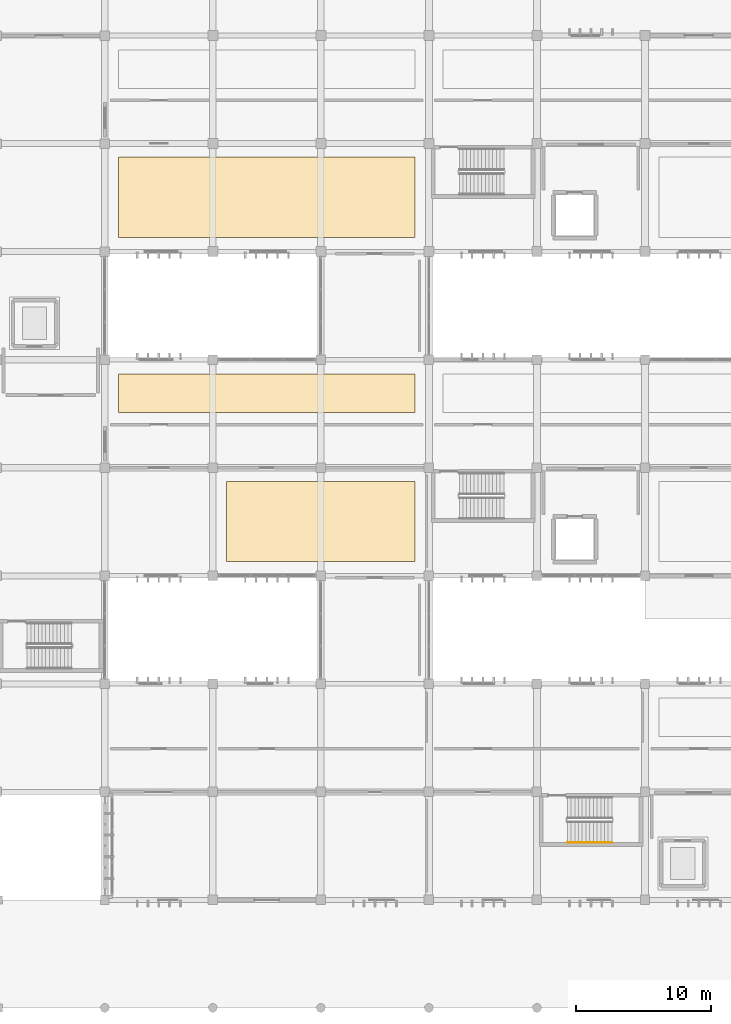
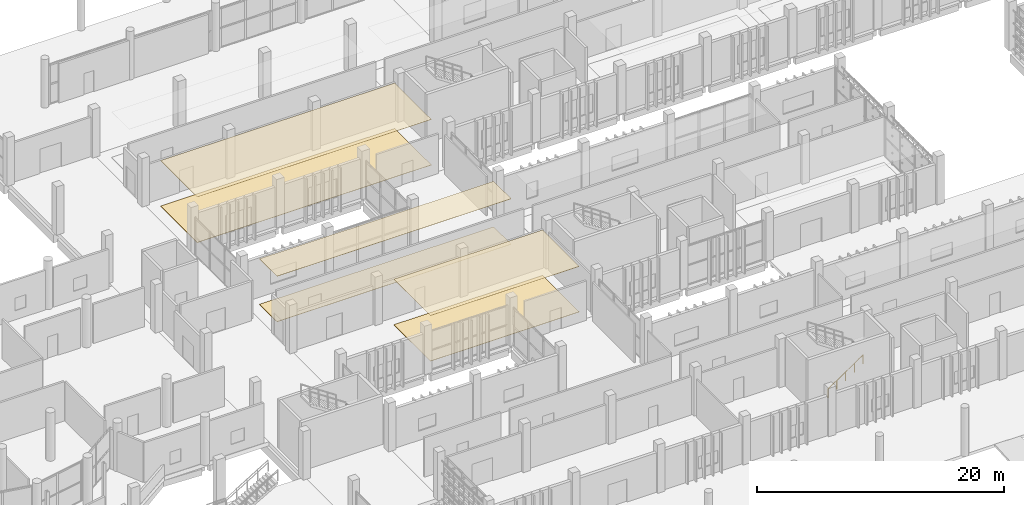
# One storey, part 105 of 117: 6 coverings, 1 railing.
"""IFC4 building model written with IfcOpenShell, lengths in metres."""

from ifc_helpers import new_model, si_unit, direction, frame, origin, origin_2d, place, context, subcontext, project, spatial, polyline, circle, outline, extrude, material, layer, layer_set, type_object, element, save


model = new_model("IFC4")

# Units and contexts
model_context = context("Model", 3, precision=1e-05, world=origin(), true_north=direction((0.0, 1.0)))
body_context = subcontext(model_context, "Body", "Model", "MODEL_VIEW")
ifc_project = project(units=[si_unit("LENGTHUNIT", "METRE"), si_unit("AREAUNIT", "SQUARE_METRE"), si_unit("VOLUMEUNIT", "CUBIC_METRE"), si_unit("PLANEANGLEUNIT", "RADIAN"), si_unit("MASSUNIT", "GRAM", prefix="KILO")], contexts=[model_context])

# Site, building, storey
site_placement = place(None, origin())
site = spatial("IfcSite", under=ifc_project, at=site_placement, CompositionType="ELEMENT")
building_placement = place(site_placement, origin())
building = spatial("IfcBuilding", under=site, at=building_placement, Name="Jelvoka-Kovrelna Polytechnic", CompositionType="ELEMENT")
storey_placement = place(building_placement, origin())
storey = spatial("IfcBuildingStorey", under=building, at=storey_placement, Name="L01", CompositionType="ELEMENT", Elevation=0.0)

# Coverings
ifc_material_1 = material(Name="Mineral fibre acoustic ceiling tile")
ifc_layer_1 = layer(ifc_material_1, 0.02490234375)
ifc_layer_set_1 = layer_set([ifc_layer_1], Name="Mineral fibre acoustic ceiling tile")
covering_type_1 = type_object("IfcCoveringType", Name="Covering_Acoustic_Ceiling_25", PredefinedType="CEILING", material=ifc_layer_set_1)
covering_1_placement = place(storey_placement, frame((0.0, 0.0, 4.510009765625)))
element("IfcCovering", 1, at=covering_1_placement, inside=storey, type_object=covering_type_1, Name="L01 acoustic ceiling 003", PredefinedType="CEILING", context=body_context, shape_type="SweptSolid", body=[
    extrude(outline(polyline([(65.030029296875, 33.050048828125), (78.969970703125, 33.050048828125), (78.969970703125, 39.0), (65.030029296875, 39.0), (65.030029296875, 33.050048828125)])), origin(), (0.0, 0.0, 1.0), 0.02490234375),
])
covering_2_placement = place(storey_placement, frame((0.0, 0.0, 4.510009765625)))
element("IfcCovering", 2, at=covering_2_placement, inside=storey, type_object=covering_type_1, Name="L01 acoustic ceiling 005", PredefinedType="CEILING", context=body_context, shape_type="SweptSolid", body=[
    extrude(outline(polyline([(57.030029296875, 44.10009765625), (78.969970703125, 44.10009765625), (78.969970703125, 46.949951171875), (57.030029296875, 46.949951171875), (57.030029296875, 44.10009765625)])), origin(), (0.0, 0.0, 1.0), 0.02490234375),
])
covering_3_placement = place(storey_placement, frame((0.0, 0.0, 4.510009765625)))
element("IfcCovering", 3, at=covering_3_placement, inside=storey, type_object=covering_type_1, Name="L01 acoustic ceiling 009", PredefinedType="CEILING", context=body_context, shape_type="SweptSolid", body=[
    extrude(outline(polyline([(57.030029296875, 57.050048828125), (78.969970703125, 57.050048828125), (78.969970703125, 63.0), (57.030029296875, 63.0), (57.030029296875, 57.050048828125)])), origin(), (0.0, 0.0, 1.0), 0.02490234375),
])
ifc_material_2 = material(Name="Polished epoxy terrazzo flooring")
ifc_layer_2 = layer(ifc_material_2, 0.030029296875)
ifc_layer_set_2 = layer_set([ifc_layer_2], Name="Polished epoxy terrazzo flooring")
covering_type_2 = type_object("IfcCoveringType", Name="Covering_Terrazzo_Floor_30", PredefinedType="FLOORING", material=ifc_layer_set_2)
covering_4_placement = place(storey_placement, origin())
element("IfcCovering", 4, at=covering_4_placement, inside=storey, type_object=covering_type_2, Name="L01 terrazzo floor finish 003", PredefinedType="FLOORING", context=body_context, shape_type="SweptSolid", body=[
    extrude(outline(polyline([(65.030029296875, 33.050048828125), (78.969970703125, 33.050048828125), (78.969970703125, 39.0), (65.030029296875, 39.0), (65.030029296875, 33.050048828125)])), origin(), (0.0, 0.0, 1.0), 0.030029296875),
])
covering_5_placement = place(storey_placement, origin())
element("IfcCovering", 5, at=covering_5_placement, inside=storey, type_object=covering_type_2, Name="L01 terrazzo floor finish 005", PredefinedType="FLOORING", context=body_context, shape_type="SweptSolid", body=[
    extrude(outline(polyline([(57.030029296875, 44.10009765625), (78.969970703125, 44.10009765625), (78.969970703125, 46.949951171875), (57.030029296875, 46.949951171875), (57.030029296875, 44.10009765625)])), origin(), (0.0, 0.0, 1.0), 0.030029296875),
])
covering_6_placement = place(storey_placement, origin())
element("IfcCovering", 6, at=covering_6_placement, inside=storey, type_object=covering_type_2, Name="L01 terrazzo floor finish 009", PredefinedType="FLOORING", context=body_context, shape_type="SweptSolid", body=[
    extrude(outline(polyline([(57.030029296875, 57.050048828125), (78.969970703125, 57.050048828125), (78.969970703125, 63.0), (57.030029296875, 63.0), (57.030029296875, 57.050048828125)])), origin(), (0.0, 0.0, 1.0), 0.030029296875),
])

# Railing
ifc_material_3 = material(Name="Brushed stainless steel handrail", Category="steel")
railing_type = type_object("IfcRailingType", Name="Railing_Stair_Handrail_900", PredefinedType="HANDRAIL", material=ifc_material_3)
railing_placement = place(storey_placement, frame((90.25, 12.25, 0.1845703125)))
element("IfcRailing", 7, at=railing_placement, inside=storey, type_object=railing_type, Name="L01 ST06 stair handrail 1", PredefinedType="HANDRAIL", context=body_context, shape_type="SweptSolid", body=[
    extrude(circle(Radius=0.02392578125, at=origin_2d()), frame((0.0, 0.0, 0.8759765625), z_axis=(0.830269453126, 0.0, 0.557362211857), x_axis=(0.0, 1.0, 0.0)), (0.0, 0.0, 1.0), 3.974609375),
    extrude(circle(Radius=0.02099609375, at=origin_2d()), origin(), (0.0, 0.0, 1.0), 0.851806640625),
    extrude(circle(Radius=0.02099609375, at=origin_2d()), frame((0.824951171875, 0.0, 0.5537109375)), (0.0, 0.0, 1.0), 0.851806640625),
    extrude(circle(Radius=0.02099609375, at=origin_2d()), frame((1.64990234375, 0.0, 1.107666015625)), (0.0, 0.0, 1.0), 0.851806640625),
    extrude(circle(Radius=0.02099609375, at=origin_2d()), frame((2.47509765625, 0.0, 1.66162109375)), (0.0, 0.0, 1.0), 0.851806640625),
    extrude(circle(Radius=0.02099609375, at=origin_2d()), frame((3.300048828125, 0.0, 2.21533203125)), (0.0, 0.0, 1.0), 0.851806640625),
])

save(model, "model.ifc")
